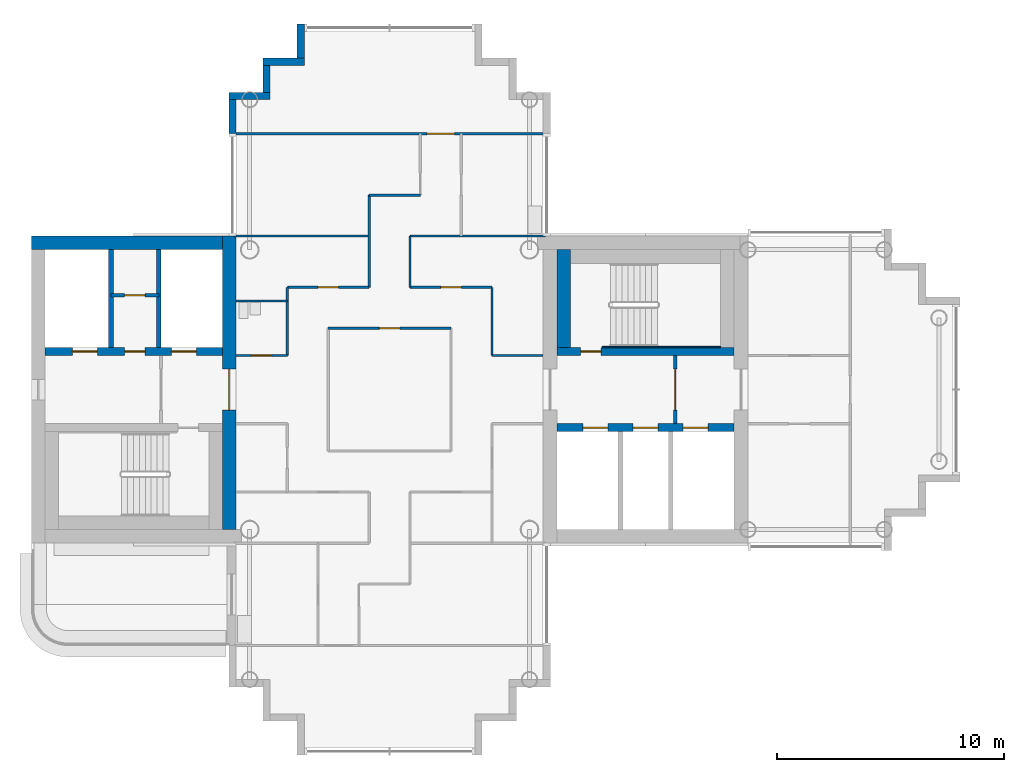
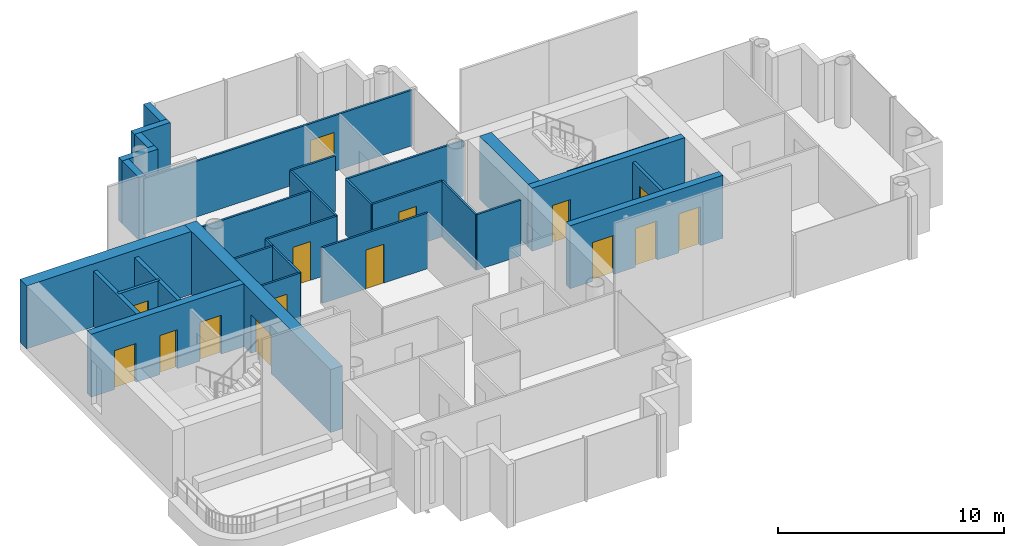
# One storey, part 7 of 18: 30 walls, 15 doors, 15 openings.
"""IFC4 building model written with IfcOpenShell, lengths in metres."""

from ifc_helpers import new_model, si_unit, direction, frame, frame_2d, origin, place, context, subcontext, project, spatial, rectangle, extrude, material, layer, layer_set, type_object, element, fill, save


model = new_model("IFC4")

# Units and contexts
model_context = context("Model", 3, precision=1e-05, world=origin(), true_north=direction((0.0, 1.0)))
body_context = subcontext(model_context, "Body", "Model", "MODEL_VIEW")
ifc_project = project(units=[si_unit("LENGTHUNIT", "METRE"), si_unit("AREAUNIT", "SQUARE_METRE"), si_unit("VOLUMEUNIT", "CUBIC_METRE"), si_unit("PLANEANGLEUNIT", "RADIAN"), si_unit("MASSUNIT", "GRAM", prefix="KILO")], contexts=[model_context])

# Site, building, storey
site_placement = place(None, origin())
site = spatial("IfcSite", under=ifc_project, at=site_placement, CompositionType="ELEMENT")
building_placement = place(site_placement, origin())
building = spatial("IfcBuilding", under=site, at=building_placement, Name="Ipe Terrace Towers", CompositionType="ELEMENT")
storey_placement = place(building_placement, frame((0.0, 0.0, 219.800048828125)))
storey = spatial("IfcBuildingStorey", under=building, at=storey_placement, Name="L61", CompositionType="ELEMENT", Elevation=219.800048828125)

# Walls
ifc_material_1 = material(Name="Concrete C40/50 with buff precast cladding", Category="concrete")
ifc_layer_1 = layer(ifc_material_1, 0.320068359375)
ifc_layer_set_1 = layer_set([ifc_layer_1], Name="BUFF CLADDING WALL 320")
wall_type_1 = type_object("IfcWallType", Name="BUFF CLADDING WALL 320", PredefinedType="STANDARD", material=ifc_layer_set_1)
wall_1_placement = place(storey_placement, frame((-39.909912109375, 16.070068359375, -0.300048828125), z_axis=(0.0, 0.0, 1.0), x_axis=(0.0, -1.0, 0.0)))
element("IfcWall", 1, at=wall_1_placement, inside=storey, type_object=wall_type_1, Name="T1-W-L61-35a wall", PredefinedType="STANDARD", context=body_context, shape_type="SweptSolid", body=[
    extrude(rectangle(XDim=1.5, YDim=0.320068359375, at=frame_2d((0.75, 0.0))), origin(), (0.0, 0.0, 1.0), 3.39990234375),
])
wall_2_placement = place(storey_placement, frame((-39.75, 14.409912109375, -0.300048828125), z_axis=(0.0, 0.0, 1.0), x_axis=(-1.0, 0.0, 0.0)))
element("IfcWall", 2, at=wall_2_placement, inside=storey, type_object=wall_type_1, Name="T1-W-L61-36a wall", PredefinedType="STANDARD", context=body_context, shape_type="SweptSolid", body=[
    extrude(rectangle(XDim=1.820068359375, YDim=0.320068359375, at=frame_2d((0.91015625, 0.0))), origin(), (0.0, 0.0, 1.0), 3.39990234375),
])
wall_3_placement = place(storey_placement, frame((-41.409912109375, 14.25, -0.300048828125), z_axis=(0.0, 0.0, 1.0), x_axis=(0.0, -1.0, 0.0)))
element("IfcWall", 3, at=wall_3_placement, inside=storey, type_object=wall_type_1, Name="T1-W-L61-37a wall", PredefinedType="STANDARD", context=body_context, shape_type="SweptSolid", body=[
    extrude(rectangle(XDim=1.179931640625, YDim=0.320068359375, at=frame_2d((0.58984375, 0.0))), origin(), (0.0, 0.0, 1.0), 3.39990234375),
])
wall_4_placement = place(storey_placement, frame((-41.25, 12.909912109375, -0.300048828125), z_axis=(0.0, 0.0, 1.0), x_axis=(-1.0, 0.0, 0.0)))
element("IfcWall", 4, at=wall_4_placement, inside=storey, type_object=wall_type_1, Name="T1-W-L61-38a wall", PredefinedType="STANDARD", context=body_context, shape_type="SweptSolid", body=[
    extrude(rectangle(XDim=1.820068359375, YDim=0.320068359375, at=frame_2d((0.91015625, 0.0))), origin(), (0.0, 0.0, 1.0), 3.39990234375),
])
wall_5_placement = place(storey_placement, frame((-42.909912109375, 12.75, -0.300048828125), z_axis=(0.0, 0.0, 1.0), x_axis=(0.0, -1.0, 0.0)))
element("IfcWall", 5, at=wall_5_placement, inside=storey, type_object=wall_type_1, Name="T1-W-L61-39a wall", PredefinedType="STANDARD", context=body_context, shape_type="SweptSolid", body=[
    extrude(rectangle(XDim=1.5, YDim=0.320068359375, at=frame_2d((0.75, 0.0))), origin(), (0.0, 0.0, 1.0), 3.39990234375),
])
ifc_material_2 = material(Name="Gypsum board partition", Category="plasterboard")
ifc_layer_2 = layer(ifc_material_2, 0.10009765625)
ifc_layer_set_2 = layer_set([ifc_layer_2], Name="Gypsum board partition 100 mm")
wall_type_2 = type_object("IfcWallType", Name="Gypsum board partition 100 mm", PredefinedType="PARTITIONING", material=ifc_layer_set_2)
wall_6_placement = place(storey_placement, frame((-40.5, 1.5, 0.0), z_axis=(0.0, 0.0, 1.0), x_axis=(0.0, 1.0, 0.0)))
element("IfcWall", 6, at=wall_6_placement, inside=storey, type_object=wall_type_2, Name="Gypsum board partition T1 L61 W02", PredefinedType="PARTITIONING", context=body_context, shape_type="SweptSolid", body=[
    extrude(rectangle(XDim=3.0, YDim=0.10009765625, at=frame_2d((1.5, 0.0))), origin(), (0.0, 0.0, 1.0), 3.0),
])
wall_7_placement = place(storey_placement, frame((-36.89990234375, 4.5, 0.0), z_axis=(0.0, 0.0, 1.0), x_axis=(0.0, 1.0, 0.0)))
element("IfcWall", 7, at=wall_7_placement, inside=storey, type_object=wall_type_2, Name="Gypsum board partition T1 L61 W07", PredefinedType="PARTITIONING", context=body_context, shape_type="SweptSolid", body=[
    extrude(rectangle(XDim=4.050048828125, YDim=0.10009765625, at=frame_2d((2.02490234375, 0.0))), origin(), (0.0, 0.0, 1.0), 3.0),
])
wall_8_placement = place(storey_placement, frame((-35.10009765625, 4.5, 0.0), z_axis=(0.0, 0.0, 1.0), x_axis=(0.0, 1.0, 0.0)))
element("IfcWall", 8, at=wall_8_placement, inside=storey, type_object=wall_type_2, Name="Gypsum board partition T1 L61 W09", PredefinedType="PARTITIONING", context=body_context, shape_type="SweptSolid", body=[
    extrude(rectangle(XDim=2.25, YDim=0.10009765625, at=frame_2d((1.125, 0.0))), origin(), (0.0, 0.0, 1.0), 3.0),
])
wall_9_placement = place(storey_placement, frame((-31.5, 1.5, 0.0), z_axis=(0.0, 0.0, 1.0), x_axis=(0.0, 1.0, 0.0)))
element("IfcWall", 9, at=wall_9_placement, inside=storey, type_object=wall_type_2, Name="Gypsum board partition T1 L61 W14", PredefinedType="PARTITIONING", context=body_context, shape_type="SweptSolid", body=[
    extrude(rectangle(XDim=3.0, YDim=0.10009765625, at=frame_2d((1.5, 0.0))), origin(), (0.0, 0.0, 1.0), 3.0),
])

# Wall, opening, door
wall_10_placement = place(storey_placement, frame((-42.75, 1.5, 0.0), z_axis=(0.0, 0.0, 1.0), x_axis=(1.0, 0.0, 0.0)))
wall_10 = element("IfcWall", 10, at=wall_10_placement, inside=storey, type_object=wall_type_2, Name="Gypsum board partition T1 L61 W26", PredefinedType="PARTITIONING", context=body_context, shape_type="SweptSolid", body=[
    extrude(rectangle(XDim=2.25, YDim=0.10009765625, at=frame_2d((1.125, 0.0))), origin(), (0.0, 0.0, 1.0), 3.0),
])
opening_1_placement = place(wall_10_placement, frame((0.675048828125, 0.0, 0.0)))
opening_1 = element("IfcOpeningElement", 11, at=opening_1_placement, cuts=wall_10, Name="Opening T1-Z4F-02", PredefinedType="OPENING", context=body_context, shape_type="SweptSolid", body=[
    extrude(rectangle(XDim=0.89990234375, YDim=2.10009765625, at=frame_2d((0.449951171875, 1.050048828125))), frame((0.0, 0.06005859375, 0.0), z_axis=(0.0, -1.0, 0.0), x_axis=(1.0, 0.0, 0.0)), (0.0, 0.0, 1.0), 0.1201171875),
])
ifc_material_3 = material(Name="Timber door leaf", Category="wood")
door_type_1 = type_object("IfcDoorType", Name="Bathroom door 900 x 2100", OperationType="NOTDEFINED", PredefinedType="DOOR", material=ifc_material_3)
door_1_placement = place(opening_1_placement, origin())
door_1 = element("IfcDoor", 12, at=door_1_placement, inside=storey, type_object=door_type_1, Name="Bathroom door T1-Z4F-02", OperationType="SINGLE_SWING_LEFT", OverallHeight=2.10009765625, OverallWidth=0.89990234375, PredefinedType="DOOR", context=body_context, shape_type="SweptSolid", body=[
    extrude(rectangle(XDim=0.89990234375, YDim=2.10009765625, at=frame_2d((0.449951171875, 1.050048828125))), frame((0.0, 0.02490234375, 0.0), z_axis=(0.0, -1.0, 0.0), x_axis=(1.0, 0.0, 0.0)), (0.0, 0.0, 1.0), 0.050048828125),
])
fill(opening_1, door_1)

# Wall
wall_11_placement = place(storey_placement, frame((-31.5, 1.5, 0.0), z_axis=(0.0, 0.0, 1.0), x_axis=(1.0, 0.0, 0.0)))
element("IfcWall", 13, at=wall_11_placement, inside=storey, type_object=wall_type_2, Name="Gypsum board partition T1 L61 W27", PredefinedType="PARTITIONING", context=body_context, shape_type="SweptSolid", body=[
    extrude(rectangle(XDim=2.25, YDim=0.10009765625, at=frame_2d((1.125, 0.0))), origin(), (0.0, 0.0, 1.0), 3.0),
])

# Wall, opening, door
wall_12_placement = place(storey_placement, frame((-38.699951171875, 2.699951171875, 0.0), z_axis=(0.0, 0.0, 1.0), x_axis=(1.0, 0.0, 0.0)))
wall_12 = element("IfcWall", 14, at=wall_12_placement, inside=storey, type_object=wall_type_2, Name="Gypsum board partition T1 L61 W29", PredefinedType="PARTITIONING", context=body_context, shape_type="SweptSolid", body=[
    extrude(rectangle(XDim=5.39990234375, YDim=0.10009765625, at=frame_2d((2.699951171875, 0.0))), origin(), (0.0, 0.0, 1.0), 3.0),
])
opening_2_placement = place(wall_12_placement, frame((2.25, 0.0, 0.0)))
opening_2 = element("IfcOpeningElement", 15, at=opening_2_placement, cuts=wall_12, Name="Opening T1-Z4F-01", PredefinedType="OPENING", context=body_context, shape_type="SweptSolid", body=[
    extrude(rectangle(XDim=0.89990234375, YDim=2.10009765625, at=frame_2d((0.449951171875, 1.050048828125))), frame((0.0, 0.06005859375, 0.0), z_axis=(0.0, -1.0, 0.0), x_axis=(1.0, 0.0, 0.0)), (0.0, 0.0, 1.0), 0.1201171875),
])
ifc_material_4 = material(Name="Timber door leaf", Category="wood")
door_type_2 = type_object("IfcDoorType", Name="Lounge door 900 x 2100", OperationType="NOTDEFINED", PredefinedType="DOOR", material=ifc_material_4)
door_2_placement = place(opening_2_placement, origin())
door_2 = element("IfcDoor", 16, at=door_2_placement, inside=storey, type_object=door_type_2, Name="Lounge door T1-Z4F-01", OperationType="SINGLE_SWING_RIGHT", OverallHeight=2.10009765625, OverallWidth=0.89990234375, PredefinedType="DOOR", context=body_context, shape_type="SweptSolid", body=[
    extrude(rectangle(XDim=0.89990234375, YDim=2.10009765625, at=frame_2d((0.449951171875, 1.050048828125))), frame((0.0, 0.02490234375, 0.0), z_axis=(0.0, -1.0, 0.0), x_axis=(1.0, 0.0, 0.0)), (0.0, 0.0, 1.0), 0.050048828125),
])
fill(opening_2, door_2)

# Wall
wall_13_placement = place(storey_placement, frame((-42.75, 3.89990234375, 0.0), z_axis=(0.0, 0.0, 1.0), x_axis=(1.0, 0.0, 0.0)))
element("IfcWall", 17, at=wall_13_placement, inside=storey, type_object=wall_type_2, Name="Gypsum board partition T1 L61 W30", PredefinedType="PARTITIONING", context=body_context, shape_type="SweptSolid", body=[
    extrude(rectangle(XDim=2.25, YDim=0.10009765625, at=frame_2d((1.125, 0.0))), origin(), (0.0, 0.0, 1.0), 3.0),
])

# Wall, opening, door
wall_14_placement = place(storey_placement, frame((-40.5, 4.5, 0.0), z_axis=(0.0, 0.0, 1.0), x_axis=(1.0, 0.0, 0.0)))
wall_14 = element("IfcWall", 18, at=wall_14_placement, inside=storey, type_object=wall_type_2, Name="Gypsum board partition T1 L61 W31", PredefinedType="PARTITIONING", context=body_context, shape_type="SweptSolid", body=[
    extrude(rectangle(XDim=3.60009765625, YDim=0.10009765625, at=frame_2d((1.800048828125, 0.0))), origin(), (0.0, 0.0, 1.0), 3.0),
])
opening_3_placement = place(wall_14_placement, frame((1.35009765625, 0.0, 0.0)))
opening_3 = element("IfcOpeningElement", 19, at=opening_3_placement, cuts=wall_14, Name="Opening T1-Z4F-04", PredefinedType="OPENING", context=body_context, shape_type="SweptSolid", body=[
    extrude(rectangle(XDim=0.89990234375, YDim=2.10009765625, at=frame_2d((0.449951171875, 1.050048828125))), frame((0.0, 0.06005859375, 0.0), z_axis=(0.0, -1.0, 0.0), x_axis=(1.0, 0.0, 0.0)), (0.0, 0.0, 1.0), 0.1201171875),
])
door_3_placement = place(opening_3_placement, origin())
door_3 = element("IfcDoor", 20, at=door_3_placement, inside=storey, type_object=door_type_2, Name="Lounge door T1-Z4F-04", OperationType="SINGLE_SWING_RIGHT", OverallHeight=2.10009765625, OverallWidth=0.89990234375, PredefinedType="DOOR", context=body_context, shape_type="SweptSolid", body=[
    extrude(rectangle(XDim=0.89990234375, YDim=2.10009765625, at=frame_2d((0.449951171875, 1.050048828125))), frame((0.0, 0.02490234375, 0.0), z_axis=(0.0, -1.0, 0.0), x_axis=(1.0, 0.0, 0.0)), (0.0, 0.0, 1.0), 0.050048828125),
])
fill(opening_3, door_3)

wall_15_placement = place(storey_placement, frame((-35.10009765625, 4.5, 0.0), z_axis=(0.0, 0.0, 1.0), x_axis=(1.0, 0.0, 0.0)))
wall_15 = element("IfcWall", 21, at=wall_15_placement, inside=storey, type_object=wall_type_2, Name="Gypsum board partition T1 L61 W32", PredefinedType="PARTITIONING", context=body_context, shape_type="SweptSolid", body=[
    extrude(rectangle(XDim=3.60009765625, YDim=0.10009765625, at=frame_2d((1.800048828125, 0.0))), origin(), (0.0, 0.0, 1.0), 3.0),
])
opening_4_placement = place(wall_15_placement, frame((1.35009765625, 0.0, 0.0)))
opening_4 = element("IfcOpeningElement", 22, at=opening_4_placement, cuts=wall_15, Name="Opening T1-Z4F-03", PredefinedType="OPENING", context=body_context, shape_type="SweptSolid", body=[
    extrude(rectangle(XDim=0.89990234375, YDim=2.10009765625, at=frame_2d((0.449951171875, 1.050048828125))), frame((0.0, 0.06005859375, 0.0), z_axis=(0.0, -1.0, 0.0), x_axis=(1.0, 0.0, 0.0)), (0.0, 0.0, 1.0), 0.1201171875),
])
door_4_placement = place(opening_4_placement, origin())
door_4 = element("IfcDoor", 23, at=door_4_placement, inside=storey, type_object=door_type_2, Name="Lounge door T1-Z4F-03", OperationType="SINGLE_SWING_RIGHT", OverallHeight=2.10009765625, OverallWidth=0.89990234375, PredefinedType="DOOR", context=body_context, shape_type="SweptSolid", body=[
    extrude(rectangle(XDim=0.89990234375, YDim=2.10009765625, at=frame_2d((0.449951171875, 1.050048828125))), frame((0.0, 0.02490234375, 0.0), z_axis=(0.0, -1.0, 0.0), x_axis=(1.0, 0.0, 0.0)), (0.0, 0.0, 1.0), 0.050048828125),
])
fill(opening_4, door_4)

# Walls
for number, where, z_axis, x_axis, name in (
    (24, (-42.85009765625, 6.75, 0.0), (0.0, 0.0, 1.0), (1.0, 0.0, 0.0), "Gypsum board partition T1 L61 W33"),
    (25, (-35.10009765625, 6.75, 0.0), (0.0, 0.0, 1.0), (1.0, 0.0, 0.0), "Gypsum board partition T1 L61 W34"),
):
    element("IfcWall", number, at=place(storey_placement, frame(where, z_axis=z_axis, x_axis=x_axis)), inside=storey, type_object=wall_type_2, Name=name, PredefinedType="PARTITIONING", context=body_context, shape_type="SweptSolid", body=[
        extrude(rectangle(XDim=5.9501953125, YDim=0.10009765625, at=frame_2d((2.97509765625, 0.0))), origin(), (0.0, 0.0, 1.0), 3.0),
    ])
wall_16_placement = place(storey_placement, frame((-36.89990234375, 8.550048828125, 0.0), z_axis=(0.0, 0.0, 1.0), x_axis=(1.0, 0.0, 0.0)))
element("IfcWall", 26, at=wall_16_placement, inside=storey, type_object=wall_type_2, Name="Gypsum board partition T1 L61 W35", PredefinedType="PARTITIONING", context=body_context, shape_type="SweptSolid", body=[
    extrude(rectangle(XDim=2.25, YDim=0.10009765625, at=frame_2d((1.125, 0.0))), origin(), (0.0, 0.0, 1.0), 3.0),
])

# Wall, opening, door
wall_17_placement = place(storey_placement, frame((-42.85009765625, 11.25, 0.0), z_axis=(0.0, 0.0, 1.0), x_axis=(1.0, 0.0, 0.0)))
wall_17 = element("IfcWall", 27, at=wall_17_placement, inside=storey, type_object=wall_type_2, Name="Gypsum board partition T1 L61 W36", PredefinedType="PARTITIONING", context=body_context, shape_type="SweptSolid", body=[
    extrude(rectangle(XDim=13.7001953125, YDim=0.10009765625, at=frame_2d((6.85009765625, 0.0))), origin(), (0.0, 0.0, 1.0), 3.0),
])
opening_5_placement = place(wall_17_placement, frame((8.5, 0.0, 0.0)))
opening_5 = element("IfcOpeningElement", 28, at=opening_5_placement, cuts=wall_17, Name="Opening T1-Z4F-11", PredefinedType="OPENING", context=body_context, shape_type="SweptSolid", body=[
    extrude(rectangle(XDim=1.199951171875, YDim=2.10009765625, at=frame_2d((0.60009765625, 1.050048828125))), frame((0.0, 0.06005859375, 0.0), z_axis=(0.0, -1.0, 0.0), x_axis=(1.0, 0.0, 0.0)), (0.0, 0.0, 1.0), 0.1201171875),
])
ifc_material_5 = material(Name="Timber door leaf", Category="wood")
door_type_3 = type_object("IfcDoorType", Name="Lounge door 1200 x 2100", OperationType="NOTDEFINED", PredefinedType="DOOR", material=ifc_material_5)
door_5_placement = place(opening_5_placement, origin())
door_5 = element("IfcDoor", 29, at=door_5_placement, inside=storey, type_object=door_type_3, Name="Lounge door T1-Z4F-11", OperationType="SINGLE_SWING_LEFT", OverallHeight=2.10009765625, OverallWidth=1.199951171875, PredefinedType="DOOR", context=body_context, shape_type="SweptSolid", body=[
    extrude(rectangle(XDim=1.199951171875, YDim=2.10009765625, at=frame_2d((0.60009765625, 1.050048828125))), frame((0.0, 0.02490234375, 0.0), z_axis=(0.0, -1.0, 0.0), x_axis=(1.0, 0.0, 0.0)), (0.0, 0.0, 1.0), 0.050048828125),
])
fill(opening_5, door_5)

ifc_material_6 = material(Name="Gypsum board partition", Category="plasterboard")
ifc_layer_3 = layer(ifc_material_6, 0.14990234375)
ifc_layer_set_3 = layer_set([ifc_layer_3], Name="Gypsum board partition 150 mm")
wall_type_3 = type_object("IfcWallType", Name="Gypsum board partition 150 mm", PredefinedType="PARTITIONING", material=ifc_layer_set_3)
wall_18_placement = place(storey_placement, frame((-23.449951171875, -1.5, 0.0), z_axis=(0.0, 0.0, 1.0), x_axis=(0.0, 1.0, 0.0)))
wall_18 = element("IfcWall", 30, at=wall_18_placement, inside=storey, type_object=wall_type_3, Name="Gypsum board partition T1 L61 t1c1-lobby-wall", PredefinedType="PARTITIONING", context=body_context, shape_type="SweptSolid", body=[
    extrude(rectangle(XDim=3.0, YDim=0.14990234375, at=frame_2d((1.5, 0.0))), origin(), (0.0, 0.0, 1.0), 3.0),
])
opening_6_placement = place(wall_18_placement, frame((0.60009765625, 0.0, 0.0)))
opening_6 = element("IfcOpeningElement", 31, at=opening_6_placement, cuts=wall_18, Name="Opening T1C1-VD", PredefinedType="OPENING", context=body_context, shape_type="SweptSolid", body=[
    extrude(rectangle(XDim=1.800048828125, YDim=2.10009765625, at=frame_2d((0.89990234375, 1.050048828125))), frame((0.0, 0.0849609375, 0.0), z_axis=(0.0, -1.0, 0.0), x_axis=(1.0, 0.0, 0.0)), (0.0, 0.0, 1.0), 0.169921875),
])
ifc_material_7 = material(Name="Fire-rated timber door leaf", Category="wood")
door_type_4 = type_object("IfcDoorType", Name="Lobby door 1800 x 2100 FD60", OperationType="NOTDEFINED", PredefinedType="DOOR", material=ifc_material_7)
door_6_placement = place(opening_6_placement, origin())
door_6 = element("IfcDoor", 32, at=door_6_placement, inside=storey, type_object=door_type_4, Name="Lobby door T1C1-VD", OperationType="SINGLE_SWING_LEFT", OverallHeight=2.10009765625, OverallWidth=1.800048828125, PredefinedType="DOOR", context=body_context, shape_type="SweptSolid", body=[
    extrude(rectangle(XDim=1.800048828125, YDim=2.10009765625, at=frame_2d((0.89990234375, 1.050048828125))), frame((0.0, 0.02490234375, 0.0), z_axis=(0.0, -1.0, 0.0), x_axis=(1.0, 0.0, 0.0)), (0.0, 0.0, 1.0), 0.050048828125),
])
fill(opening_6, door_6)

wall_19_placement = place(storey_placement, frame((-46.14990234375, 4.14990234375, 0.0), z_axis=(0.0, 0.0, 1.0), x_axis=(-1.0, 0.0, 0.0)))
wall_19 = element("IfcWall", 33, at=wall_19_placement, inside=storey, type_object=wall_type_3, Name="Gypsum board partition T1 L61 t1c2-q-back", PredefinedType="PARTITIONING", context=body_context, shape_type="SweptSolid", body=[
    extrude(rectangle(XDim=2.10009765625, YDim=0.14990234375, at=frame_2d((1.050048828125, 0.0))), origin(), (0.0, 0.0, 1.0), 3.0),
])
opening_7_placement = place(wall_19_placement, frame((0.60009765625, 0.0, 0.0)))
opening_7 = element("IfcOpeningElement", 34, at=opening_7_placement, cuts=wall_19, Name="Opening T1C2-RB", PredefinedType="OPENING", context=body_context, shape_type="SweptSolid", body=[
    extrude(rectangle(XDim=0.89990234375, YDim=2.10009765625, at=frame_2d((0.449951171875, 1.050048828125))), frame((0.0, 0.0849609375, 0.0), z_axis=(0.0, -1.0, 0.0), x_axis=(1.0, 0.0, 0.0)), (0.0, 0.0, 1.0), 0.169921875),
])
ifc_material_8 = material(Name="Fire-rated timber door leaf", Category="wood")
door_type_5 = type_object("IfcDoorType", Name="Service door 900 x 2100 FD60", OperationType="NOTDEFINED", PredefinedType="DOOR", material=ifc_material_8)
door_7_placement = place(opening_7_placement, origin())
door_7 = element("IfcDoor", 35, at=door_7_placement, inside=storey, type_object=door_type_5, Name="Service door T1C2-RB", OperationType="SINGLE_SWING_LEFT", OverallHeight=2.10009765625, OverallWidth=0.89990234375, PredefinedType="DOOR", context=body_context, shape_type="SweptSolid", body=[
    extrude(rectangle(XDim=0.89990234375, YDim=2.10009765625, at=frame_2d((0.449951171875, 1.050048828125))), frame((0.0, 0.02490234375, 0.0), z_axis=(0.0, -1.0, 0.0), x_axis=(1.0, 0.0, 0.0)), (0.0, 0.0, 1.0), 0.050048828125),
])
fill(opening_7, door_7)

# Walls
ifc_material_9 = material(Name="Gypsum board party wall", Category="plasterboard")
ifc_layer_4 = layer(ifc_material_9, 0.199951171875)
ifc_layer_set_4 = layer_set([ifc_layer_4], Name="Gypsum board party wall 200 mm")
wall_type_4 = type_object("IfcWallType", Name="Gypsum board party wall 200 mm", PredefinedType="SOLIDWALL", material=ifc_layer_set_4)
for number, where, z_axis, x_axis, name in (
    (36, (-48.25, 6.14990234375, 0.0), (0.0, 0.0, 1.0), (0.0, -1.0, 0.0), "Gypsum board party wall T1 L61 t1c2-shaft-div2"),
    (37, (-46.14990234375, 6.14990234375, 0.0), (0.0, 0.0, 1.0), (0.0, -1.0, 0.0), "Gypsum board party wall T1 L61 t1c2-shaft-div1"),
):
    element("IfcWall", number, at=place(storey_placement, frame(where, z_axis=z_axis, x_axis=x_axis)), inside=storey, type_object=wall_type_4, Name=name, PredefinedType="SOLIDWALL", context=body_context, shape_type="SweptSolid", body=[
        extrude(rectangle(XDim=4.2998046875, YDim=0.199951171875, at=frame_2d((2.14990234375, 0.0))), origin(), (0.0, 0.0, 1.0), 3.0),
    ])

# Wall, openings, doors
ifc_material_10 = material(Name="Concrete C40/50", Category="concrete")
ifc_layer_5 = layer(ifc_material_10, 0.35009765625)
ifc_layer_set_5 = layer_set([ifc_layer_5], Name="RW350 CORE SPINE WALL 350 C40-50")
wall_type_5 = type_object("IfcWallType", Name="RW350 CORE SPINE WALL 350 C40-50", PredefinedType="SHEAR", material=ifc_layer_set_5)
wall_20_placement = place(storey_placement, frame((-28.64990234375, -1.675048828125, 0.0), z_axis=(0.0, 0.0, 1.0), x_axis=(1.0, 0.0, 0.0)))
wall_20 = element("IfcWall", 38, at=wall_20_placement, inside=storey, type_object=wall_type_5, Name="Core spine wall T1-C1-Z4-SW1", PredefinedType="SHEAR", context=body_context, shape_type="SweptSolid", body=[
    extrude(rectangle(XDim=7.7998046875, YDim=0.35009765625, at=frame_2d((3.89990234375, 0.0))), origin(), (0.0, 0.0, 1.0), 3.39990234375),
])
opening_8_placement = place(wall_20_placement, frame((1.14990234375, 0.0, 0.0)))
opening_8 = element("IfcOpeningElement", 39, at=opening_8_placement, cuts=wall_20, Name="Opening T1C1-LD1", PredefinedType="OPENING", context=body_context, shape_type="SweptSolid", body=[
    extrude(rectangle(XDim=1.10009765625, YDim=2.10009765625, at=frame_2d((0.550048828125, 1.050048828125))), frame((0.0, 0.18505859375, 0.0), z_axis=(0.0, -1.0, 0.0), x_axis=(1.0, 0.0, 0.0)), (0.0, 0.0, 1.0), 0.3701171875),
])
opening_9_placement = place(wall_20_placement, frame((3.35009765625, 0.0, 0.0)))
opening_9 = element("IfcOpeningElement", 40, at=opening_9_placement, cuts=wall_20, Name="Opening T1C1-LD2", PredefinedType="OPENING", context=body_context, shape_type="SweptSolid", body=[
    extrude(rectangle(XDim=1.10009765625, YDim=2.10009765625, at=frame_2d((0.550048828125, 1.050048828125))), frame((0.0, 0.18505859375, 0.0), z_axis=(0.0, -1.0, 0.0), x_axis=(1.0, 0.0, 0.0)), (0.0, 0.0, 1.0), 0.3701171875),
])
opening_10_placement = place(wall_20_placement, frame((5.550048828125, 0.0, 0.0)))
opening_10 = element("IfcOpeningElement", 41, at=opening_10_placement, cuts=wall_20, Name="Opening T1C1-LD3", PredefinedType="OPENING", context=body_context, shape_type="SweptSolid", body=[
    extrude(rectangle(XDim=1.10009765625, YDim=2.10009765625, at=frame_2d((0.550048828125, 1.050048828125))), frame((0.0, 0.18505859375, 0.0), z_axis=(0.0, -1.0, 0.0), x_axis=(1.0, 0.0, 0.0)), (0.0, 0.0, 1.0), 0.3701171875),
])
ifc_material_11 = material(Name="Fire-rated timber door leaf", Category="wood")
door_type_6 = type_object("IfcDoorType", Name="Sliding door 1100 x 2100 FD60", OperationType="SLIDING_TO_LEFT", PredefinedType="DOOR", material=ifc_material_11)
door_8_placement = place(opening_8_placement, origin())
door_8 = element("IfcDoor", 42, at=door_8_placement, inside=storey, type_object=door_type_6, Name="Sliding door T1C1-LD1", OperationType="SLIDING_TO_LEFT", OverallHeight=2.10009765625, OverallWidth=1.10009765625, PredefinedType="DOOR", context=body_context, shape_type="SweptSolid", body=[
    extrude(rectangle(XDim=1.10009765625, YDim=2.10009765625, at=frame_2d((0.550048828125, 1.050048828125))), frame((0.0, 0.02490234375, 0.0), z_axis=(0.0, -1.0, 0.0), x_axis=(1.0, 0.0, 0.0)), (0.0, 0.0, 1.0), 0.050048828125),
])
fill(opening_8, door_8)
door_9_placement = place(opening_9_placement, origin())
door_9 = element("IfcDoor", 43, at=door_9_placement, inside=storey, type_object=door_type_6, Name="Sliding door T1C1-LD2", OperationType="SLIDING_TO_LEFT", OverallHeight=2.10009765625, OverallWidth=1.10009765625, PredefinedType="DOOR", context=body_context, shape_type="SweptSolid", body=[
    extrude(rectangle(XDim=1.10009765625, YDim=2.10009765625, at=frame_2d((0.550048828125, 1.050048828125))), frame((0.0, 0.02490234375, 0.0), z_axis=(0.0, -1.0, 0.0), x_axis=(1.0, 0.0, 0.0)), (0.0, 0.0, 1.0), 0.050048828125),
])
fill(opening_9, door_9)
door_10_placement = place(opening_10_placement, origin())
door_10 = element("IfcDoor", 44, at=door_10_placement, inside=storey, type_object=door_type_6, Name="Sliding door T1C1-LD3", OperationType="SLIDING_TO_LEFT", OverallHeight=2.10009765625, OverallWidth=1.10009765625, PredefinedType="DOOR", context=body_context, shape_type="SweptSolid", body=[
    extrude(rectangle(XDim=1.10009765625, YDim=2.10009765625, at=frame_2d((0.550048828125, 1.050048828125))), frame((0.0, 0.02490234375, 0.0), z_axis=(0.0, -1.0, 0.0), x_axis=(1.0, 0.0, 0.0)), (0.0, 0.0, 1.0), 0.050048828125),
])
fill(opening_10, door_10)

# Wall, opening, door
wall_21_placement = place(storey_placement, frame((-28.64990234375, 1.675048828125, 0.0), z_axis=(0.0, 0.0, 1.0), x_axis=(1.0, 0.0, 0.0)))
wall_21 = element("IfcWall", 45, at=wall_21_placement, inside=storey, type_object=wall_type_5, Name="Core spine wall T1-C1-Z4-SW2", PredefinedType="SHEAR", context=body_context, shape_type="SweptSolid", body=[
    extrude(rectangle(XDim=7.7998046875, YDim=0.35009765625, at=frame_2d((3.89990234375, 0.0))), origin(), (0.0, 0.0, 1.0), 3.39990234375),
])
opening_11_placement = place(wall_21_placement, frame((1.050048828125, 0.0, 0.0)))
opening_11 = element("IfcOpeningElement", 46, at=opening_11_placement, cuts=wall_21, Name="Opening T1C1-SD", PredefinedType="OPENING", context=body_context, shape_type="SweptSolid", body=[
    extrude(rectangle(XDim=0.89990234375, YDim=2.10009765625, at=frame_2d((0.449951171875, 1.050048828125))), frame((0.0, 0.18505859375, 0.0), z_axis=(0.0, -1.0, 0.0), x_axis=(1.0, 0.0, 0.0)), (0.0, 0.0, 1.0), 0.3701171875),
])
ifc_material_12 = material(Name="Fire-rated timber door leaf", Category="wood")
door_type_7 = type_object("IfcDoorType", Name="Stair door 900 x 2100 FD60", OperationType="NOTDEFINED", PredefinedType="DOOR", material=ifc_material_12)
door_11_placement = place(opening_11_placement, origin())
door_11 = element("IfcDoor", 47, at=door_11_placement, inside=storey, type_object=door_type_7, Name="Stair door T1C1-SD", OperationType="SINGLE_SWING_LEFT", OverallHeight=2.10009765625, OverallWidth=0.89990234375, PredefinedType="DOOR", context=body_context, shape_type="SweptSolid", body=[
    extrude(rectangle(XDim=0.89990234375, YDim=2.10009765625, at=frame_2d((0.449951171875, 1.050048828125))), frame((0.0, 0.02490234375, 0.0), z_axis=(0.0, -1.0, 0.0), x_axis=(1.0, 0.0, 0.0)), (0.0, 0.0, 1.0), 0.050048828125),
])
fill(opening_11, door_11)

# Wall, openings, doors
wall_22_placement = place(storey_placement, frame((-51.14990234375, 1.675048828125, 0.0), z_axis=(0.0, 0.0, 1.0), x_axis=(1.0, 0.0, 0.0)))
wall_22 = element("IfcWall", 48, at=wall_22_placement, inside=storey, type_object=wall_type_5, Name="Core spine wall T1-C2-Z4-SW2", PredefinedType="SHEAR", context=body_context, shape_type="SweptSolid", body=[
    extrude(rectangle(XDim=7.7998046875, YDim=0.35009765625, at=frame_2d((3.89990234375, 0.0))), origin(), (0.0, 0.0, 1.0), 3.39990234375),
])
opening_12_placement = place(wall_22_placement, frame((5.550048828125, 0.0, 0.0)))
opening_12 = element("IfcOpeningElement", 49, at=opening_12_placement, cuts=wall_22, Name="Opening T1C2-LD1", PredefinedType="OPENING", context=body_context, shape_type="SweptSolid", body=[
    extrude(rectangle(XDim=1.10009765625, YDim=2.10009765625, at=frame_2d((0.550048828125, 1.050048828125))), frame((0.0, 0.18505859375, 0.0), z_axis=(0.0, -1.0, 0.0), x_axis=(1.0, 0.0, 0.0)), (0.0, 0.0, 1.0), 0.3701171875),
])
opening_13_placement = place(wall_22_placement, frame((1.199951171875, 0.0, 0.0)))
opening_13 = element("IfcOpeningElement", 50, at=opening_13_placement, cuts=wall_22, Name="Opening T1C2-LD3", PredefinedType="OPENING", context=body_context, shape_type="SweptSolid", body=[
    extrude(rectangle(XDim=1.10009765625, YDim=2.10009765625, at=frame_2d((0.550048828125, 1.050048828125))), frame((0.0, 0.18505859375, 0.0), z_axis=(0.0, -1.0, 0.0), x_axis=(1.0, 0.0, 0.0)), (0.0, 0.0, 1.0), 0.3701171875),
])
opening_14_placement = place(wall_22_placement, frame((3.5, 0.0, 0.0)))
opening_14 = element("IfcOpeningElement", 51, at=opening_14_placement, cuts=wall_22, Name="Opening T1C2-R1-NR", PredefinedType="OPENING", context=body_context, shape_type="SweptSolid", body=[
    extrude(rectangle(XDim=0.89990234375, YDim=2.10009765625, at=frame_2d((0.449951171875, 1.050048828125))), frame((0.0, 0.18505859375, 0.0), z_axis=(0.0, -1.0, 0.0), x_axis=(1.0, 0.0, 0.0)), (0.0, 0.0, 1.0), 0.3701171875),
])
door_12_placement = place(opening_12_placement, origin())
door_12 = element("IfcDoor", 52, at=door_12_placement, inside=storey, type_object=door_type_6, Name="Sliding door T1C2-LD1", OperationType="SLIDING_TO_LEFT", OverallHeight=2.10009765625, OverallWidth=1.10009765625, PredefinedType="DOOR", context=body_context, shape_type="SweptSolid", body=[
    extrude(rectangle(XDim=1.10009765625, YDim=2.10009765625, at=frame_2d((0.550048828125, 1.050048828125))), frame((0.0, 0.02490234375, 0.0), z_axis=(0.0, -1.0, 0.0), x_axis=(1.0, 0.0, 0.0)), (0.0, 0.0, 1.0), 0.050048828125),
])
fill(opening_12, door_12)
door_13_placement = place(opening_13_placement, origin())
door_13 = element("IfcDoor", 53, at=door_13_placement, inside=storey, type_object=door_type_6, Name="Sliding door T1C2-LD3", OperationType="SLIDING_TO_LEFT", OverallHeight=2.10009765625, OverallWidth=1.10009765625, PredefinedType="DOOR", context=body_context, shape_type="SweptSolid", body=[
    extrude(rectangle(XDim=1.10009765625, YDim=2.10009765625, at=frame_2d((0.550048828125, 1.050048828125))), frame((0.0, 0.02490234375, 0.0), z_axis=(0.0, -1.0, 0.0), x_axis=(1.0, 0.0, 0.0)), (0.0, 0.0, 1.0), 0.050048828125),
])
fill(opening_13, door_13)
ifc_material_13 = material(Name="Timber door leaf", Category="wood")
door_type_8 = type_object("IfcDoorType", Name="Store door 900 x 2100", OperationType="NOTDEFINED", PredefinedType="DOOR", material=ifc_material_13)
door_14_placement = place(opening_14_placement, origin())
door_14 = element("IfcDoor", 54, at=door_14_placement, inside=storey, type_object=door_type_8, Name="Store door T1C2-R1-NR", OperationType="SINGLE_SWING_LEFT", OverallHeight=2.10009765625, OverallWidth=0.89990234375, PredefinedType="DOOR", context=body_context, shape_type="SweptSolid", body=[
    extrude(rectangle(XDim=0.89990234375, YDim=2.10009765625, at=frame_2d((0.449951171875, 1.050048828125))), frame((0.0, 0.02490234375, 0.0), z_axis=(0.0, -1.0, 0.0), x_axis=(1.0, 0.0, 0.0)), (0.0, 0.0, 1.0), 0.050048828125),
])
fill(opening_14, door_14)

# Walls
ifc_material_14 = material(Name="Concrete C40/50", Category="concrete")
ifc_layer_6 = layer(ifc_material_14, 0.050048828125)
ifc_layer_set_6 = layer_set([ifc_layer_6], Name="RW50 CORE INFILL WALL 50 C40-50")
wall_type_6 = type_object("IfcWallType", Name="RW50 CORE INFILL WALL 50 C40-50", PredefinedType="SHEAR", material=ifc_layer_set_6)
wall_23_placement = place(storey_placement, frame((-26.64990234375, 1.875, 0.0), z_axis=(0.0, 0.0, 1.0), x_axis=(1.0, 0.0, 0.0)))
element("IfcWall", 55, at=wall_23_placement, inside=storey, type_object=wall_type_6, Name="Core infill wall T1-C1-spine-b", PredefinedType="SHEAR", context=body_context, shape_type="SweptSolid", body=[
    extrude(rectangle(XDim=5.199951171875, YDim=0.050048828125, at=frame_2d((2.60009765625, 0.0))), origin(), (0.0, 0.0, 1.0), 3.39990234375),
])
ifc_material_15 = material(Name="Concrete C40/50", Category="concrete")
ifc_layer_7 = layer(ifc_material_15, 0.60009765625)
ifc_layer_set_7 = layer_set([ifc_layer_7], Name="RW600 CORE INFILL WALL 600 C40-50")
wall_type_7 = type_object("IfcWallType", Name="RW600 CORE INFILL WALL 600 C40-50", PredefinedType="SHEAR", material=ifc_layer_set_7)
wall_24_placement = place(storey_placement, frame((-28.35009765625, 1.85009765625, 0.0), z_axis=(0.0, 0.0, 1.0), x_axis=(0.0, 1.0, 0.0)))
element("IfcWall", 56, at=wall_24_placement, inside=storey, type_object=wall_type_7, Name="Core infill wall T1-C1-near", PredefinedType="SHEAR", context=body_context, shape_type="SweptSolid", body=[
    extrude(rectangle(XDim=4.2998046875, YDim=0.60009765625, at=frame_2d((2.14990234375, 0.0))), origin(), (0.0, 0.0, 1.0), 3.39990234375),
])

# Wall, opening, door
ifc_material_16 = material(Name="Concrete C40/50", Category="concrete")
ifc_layer_8 = layer(ifc_material_16, 0.60009765625)
ifc_layer_set_8 = layer_set([ifc_layer_8], Name="RW600 CORE WALL 600 C40-50")
wall_type_8 = type_object("IfcWallType", Name="RW600 CORE WALL 600 C40-50", PredefinedType="SHEAR", material=ifc_layer_set_8)
wall_25_placement = place(storey_placement, frame((-43.050048828125, -6.14990234375, 0.0), z_axis=(0.0, 0.0, 1.0), x_axis=(0.0, 1.0, 0.0)))
wall_25 = element("IfcWall", 57, at=wall_25_placement, inside=storey, type_object=wall_type_8, Name="Core wall T1-C2-Z4-W02", PredefinedType="SHEAR", context=body_context, shape_type="SweptSolid", body=[
    extrude(rectangle(XDim=12.89990234375, YDim=0.60009765625, at=frame_2d((6.449951171875, 0.0))), origin(), (0.0, 0.0, 1.0), 3.39990234375),
])
opening_15_placement = place(wall_25_placement, frame((5.25, 0.0, 0.0)))
opening_15 = element("IfcOpeningElement", 58, at=opening_15_placement, cuts=wall_25, Name="Opening T1C2-ND", PredefinedType="OPENING", context=body_context, shape_type="SweptSolid", body=[
    extrude(rectangle(XDim=1.800048828125, YDim=2.10009765625, at=frame_2d((0.89990234375, 1.050048828125))), frame((0.0, 0.31005859375, 0.0), z_axis=(0.0, -1.0, 0.0), x_axis=(1.0, 0.0, 0.0)), (0.0, 0.0, 1.0), 0.6201171875),
])
ifc_material_17 = material(Name="Fire-rated timber door leaf", Category="wood")
door_type_9 = type_object("IfcDoorType", Name="Fire door 1800 x 2100 FD30S", OperationType="NOTDEFINED", PredefinedType="DOOR", material=ifc_material_17)
door_15_placement = place(opening_15_placement, origin())
door_15 = element("IfcDoor", 59, at=door_15_placement, inside=storey, type_object=door_type_9, Name="Fire door T1C2-ND", OperationType="SINGLE_SWING_LEFT", OverallHeight=2.10009765625, OverallWidth=1.800048828125, PredefinedType="DOOR", context=body_context, shape_type="SweptSolid", body=[
    extrude(rectangle(XDim=1.800048828125, YDim=2.10009765625, at=frame_2d((0.89990234375, 1.050048828125))), frame((0.0, 0.02490234375, 0.0), z_axis=(0.0, -1.0, 0.0), x_axis=(1.0, 0.0, 0.0)), (0.0, 0.0, 1.0), 0.050048828125),
])
fill(opening_15, door_15)

# Wall
wall_26_placement = place(storey_placement, frame((-43.35009765625, 6.449951171875, 0.0), z_axis=(0.0, 0.0, 1.0), x_axis=(-1.0, 0.0, 0.0)))
element("IfcWall", 60, at=wall_26_placement, inside=storey, type_object=wall_type_8, Name="Core wall T1-C2-Z4-W03", PredefinedType="SHEAR", context=body_context, shape_type="SweptSolid", body=[
    extrude(rectangle(XDim=8.39990234375, YDim=0.60009765625, at=frame_2d((4.199951171875, 0.0))), origin(), (0.0, 0.0, 1.0), 3.39990234375),
])

save(model, "model.ifc")
